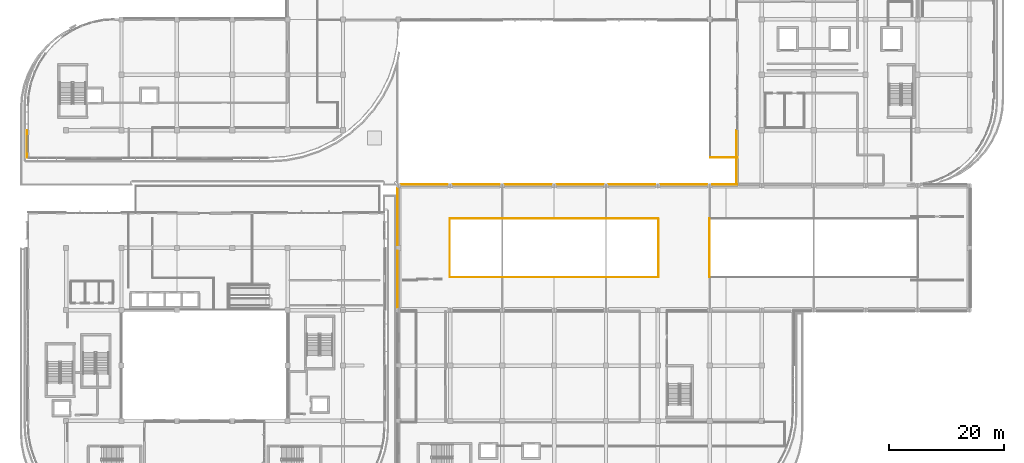
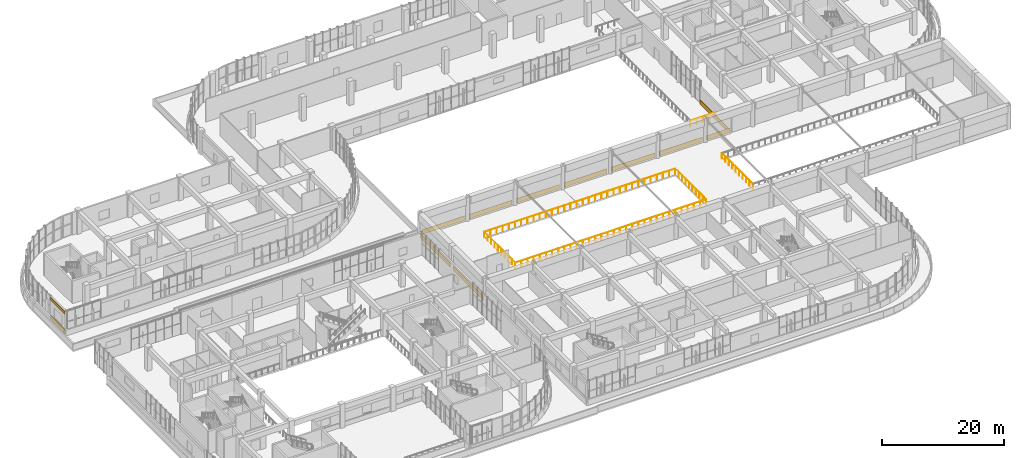
# One storey, part 85 of 96: 12 coverings, 6 railings.
"""IFC4 building model written with IfcOpenShell, lengths in metres."""

from ifc_helpers import new_model, si_unit, direction, frame, origin, origin_2d, place, context, subcontext, project, spatial, rectangle, circle, extrude, material, layer, layer_set, type_object, element, save


model = new_model("IFC4")

# Units and contexts
model_context = context("Model", 3, precision=1e-05, world=origin(), true_north=direction((0.0, 1.0)))
body_context = subcontext(model_context, "Body", "Model", "MODEL_VIEW")
ifc_project = project(units=[si_unit("LENGTHUNIT", "METRE"), si_unit("AREAUNIT", "SQUARE_METRE"), si_unit("VOLUMEUNIT", "CUBIC_METRE"), si_unit("PLANEANGLEUNIT", "RADIAN"), si_unit("MASSUNIT", "GRAM", prefix="KILO")], contexts=[model_context])

# Site, building, storey
site_placement = place(None, origin())
site = spatial("IfcSite", under=ifc_project, at=site_placement, CompositionType="ELEMENT")
building_placement = place(site_placement, origin())
building = spatial("IfcBuilding", under=site, at=building_placement, Name="Cendralis Terraced Arcade", CompositionType="ELEMENT")
storey_placement = place(building_placement, frame((0.0, 0.0, 10.199951171875)))
storey = spatial("IfcBuildingStorey", under=building, at=storey_placement, Name="L02", CompositionType="ELEMENT", Elevation=10.199951171875)

# Coverings
ifc_material_1 = material(Name="Precast concrete f'c 40 MPa", Category="concrete")
ifc_layer = layer(ifc_material_1, 0.06494140625, Name="COV-CLAD-GRC-65")
ifc_layer_set = layer_set([ifc_layer], Name="Precast concrete f'c 40 MPa")
covering_type = type_object("IfcCoveringType", Name="COV-CLAD-GRC-65", PredefinedType="CLADDING", material=ifc_layer_set)
for number, where, z_axis, x_axis, name in (
    (1, (71.699951171875, 60.179931640625, 0.0), (0.0, 0.0, 1.0), (1.0, 0.0, 0.0), "Banded Precast Stone Spandrel Cladding L02-235"),
    (2, (80.699951171875, 60.179931640625, 0.0), (0.0, 0.0, 1.0), (1.0, 0.0, 0.0), "Banded Precast Stone Spandrel Cladding L02-236"),
    (3, (89.699951171875, 60.179931640625, 0.0), (0.0, 0.0, 1.0), (1.0, 0.0, 0.0), "Banded Precast Stone Spandrel Cladding L02-237"),
    (4, (98.699951171875, 60.179931640625, 0.0), (0.0, 0.0, 1.0), (1.0, 0.0, 0.0), "Banded Precast Stone Spandrel Cladding L02-238"),
    (5, (107.699951171875, 60.179931640625, 0.0), (0.0, 0.0, 1.0), (1.0, 0.0, 0.0), "Banded Precast Stone Spandrel Cladding L02-239"),
    (6, (116.699951171875, 60.179931640625, 0.0), (0.0, 0.0, 1.0), (1.0, 0.0, 0.0), "Banded Precast Stone Spandrel Cladding L02-240"),
):
    element("IfcCovering", number, at=place(storey_placement, frame(where, z_axis=z_axis, x_axis=x_axis)), inside=storey, type_object=covering_type, Name=name, PredefinedType="CLADDING", context=body_context, shape_type="SweptSolid", body=[
        extrude(rectangle(XDim=8.14404296875, YDim=0.06494140625, at=origin_2d()), origin(), (0.0, 0.0, 1.0), 0.89990234375),
    ])
covering_1_placement = place(storey_placement, frame((123.799072265625, 60.179931640625, 0.0), z_axis=(0.0, 0.0, 1.0), x_axis=(1.0, 0.0, 0.0)))
element("IfcCovering", 7, at=covering_1_placement, inside=storey, type_object=covering_type, Name="Banded Precast Stone Spandrel Cladding L02-241", PredefinedType="CLADDING", context=body_context, shape_type="SweptSolid", body=[
    extrude(rectangle(XDim=4.342041015625, YDim=0.06494140625, at=origin_2d()), origin(), (0.0, 0.0, 1.0), 0.89990234375),
])
covering_2_placement = place(storey_placement, frame((125.820068359375, 64.885009765625, 0.0), z_axis=(0.0, 0.0, 1.0), x_axis=(0.0, 1.0, 0.0)))
element("IfcCovering", 8, at=covering_2_placement, inside=storey, type_object=covering_type, Name="Banded Precast Stone Spandrel Cladding L02-242", PredefinedType="CLADDING", context=body_context, shape_type="SweptSolid", body=[
    extrude(rectangle(XDim=9.3701171875, YDim=0.06494140625, at=origin_2d()), origin(), (0.0, 0.0, 1.0), 0.89990234375),
])
covering_3_placement = place(storey_placement, frame((2.820068359375, 67.199951171875, 0.0), z_axis=(0.0, 0.0, 1.0), x_axis=(0.0, 1.0, 0.0)))
element("IfcCovering", 9, at=covering_3_placement, inside=storey, type_object=covering_type, Name="Banded Precast Stone Spandrel Cladding L02-257", PredefinedType="CLADDING", context=body_context, shape_type="SweptSolid", body=[
    extrude(rectangle(XDim=4.739990234375, YDim=0.06494140625, at=origin_2d()), origin(), (0.0, 0.0, 1.0), 0.89990234375),
])
covering_4_placement = place(storey_placement, frame((2.820068359375, 67.199951171875, 3.89501953125), z_axis=(0.0, 0.0, 1.0), x_axis=(0.0, 1.0, 0.0)))
element("IfcCovering", 10, at=covering_4_placement, inside=storey, type_object=covering_type, Name="Banded Precast Stone Lintel Cladding L02-258", PredefinedType="CLADDING", context=body_context, shape_type="SweptSolid", body=[
    extrude(rectangle(XDim=4.739990234375, YDim=0.06494140625, at=origin_2d()), origin(), (0.0, 0.0, 1.0), 0.60009765625),
])
for number, where, z_axis, x_axis, name in (
    (11, (67.02001953125, 43.77490234375, 0.0), (0.0, 0.0, 1.0), (0.0, 1.0, 0.0), "Banded Precast Stone Spandrel Cladding L02-307"),
    (12, (67.02001953125, 54.625, 0.0), (0.0, 0.0, 1.0), (0.0, 1.0, 0.0), "Banded Precast Stone Spandrel Cladding L02-308"),
):
    element("IfcCovering", number, at=place(storey_placement, frame(where, z_axis=z_axis, x_axis=x_axis)), inside=storey, type_object=covering_type, Name=name, PredefinedType="CLADDING", context=body_context, shape_type="SweptSolid", body=[
        extrude(rectangle(XDim=9.89404296875, YDim=0.06494140625, at=origin_2d()), origin(), (0.0, 0.0, 1.0), 0.89990234375),
    ])

# Railings
ifc_material_2 = material(Name="Brushed stainless steel AISI 316", Category="steel")
railing_type_1 = type_object("IfcRailingType", Name="RL-TER-GUARD-1150", PredefinedType="GUARDRAIL", material=ifc_material_2)
railing_1_placement = place(storey_placement, frame((126.0, 64.8798828125, 0.0)))
element("IfcRailing", 13, at=railing_1_placement, inside=storey, type_object=railing_type_1, Name="Planted Terrace Perimeter Guardrail GR-TER-L02-006", PredefinedType="GUARDRAIL", context=body_context, shape_type="SweptSolid", body=[
    extrude(circle(Radius=0.02392578125, at=origin_2d()), frame((0.0, 0.0, 1.1259765625), z_axis=(-1.0, 0.0, 0.0), x_axis=(0.0, -1.0, 0.0)), (0.0, 0.0, 1.0), 4.719970703125),
    extrude(circle(Radius=0.02099609375, at=origin_2d()), origin(), (0.0, 0.0, 1.0), 1.101806640625),
    extrude(circle(Radius=0.02099609375, at=origin_2d()), frame((-1.179931640625, 0.0, 0.0)), (0.0, 0.0, 1.0), 1.101806640625),
    extrude(circle(Radius=0.02099609375, at=origin_2d()), frame((-2.35986328125, 0.0, 0.0)), (0.0, 0.0, 1.0), 1.101806640625),
    extrude(circle(Radius=0.02099609375, at=origin_2d()), frame((-3.5400390625, 0.0, 0.0)), (0.0, 0.0, 1.0), 1.101806640625),
    extrude(circle(Radius=0.02099609375, at=origin_2d()), frame((-4.719970703125, 0.0, 0.0)), (0.0, 0.0, 1.0), 1.101806640625),
])
railing_type_2 = type_object("IfcRailingType", Name="RL-VOID-BAL-1150", PredefinedType="BALUSTRADE", material=ifc_material_2)
railing_2_placement = place(storey_placement, frame((76.1201171875, 44.1201171875, 0.0)))
element("IfcRailing", 14, at=railing_2_placement, inside=storey, type_object=railing_type_2, Name="Atrium and Arcade Gallery Balustrade L02-051", PredefinedType="BALUSTRADE", context=body_context, shape_type="SweptSolid", body=[
    extrude(circle(Radius=0.02392578125, at=origin_2d()), frame((0.0, 0.0, 1.1259765625), z_axis=(1.0, 0.0, 0.0), x_axis=(0.0, 1.0, 0.0)), (0.0, 0.0, 1.0), 36.159912109375),
    extrude(circle(Radius=0.02099609375, at=origin_2d()), origin(), (0.0, 0.0, 1.0), 1.101806640625),
    extrude(circle(Radius=0.02099609375, at=origin_2d()), frame((1.16650390625, 0.0, 0.0)), (0.0, 0.0, 1.0), 1.101806640625),
    extrude(circle(Radius=0.02099609375, at=origin_2d()), frame((2.3330078125, 0.0, 0.0)), (0.0, 0.0, 1.0), 1.101806640625),
    extrude(circle(Radius=0.02099609375, at=origin_2d()), frame((3.499267578125, 0.0, 0.0)), (0.0, 0.0, 1.0), 1.101806640625),
    extrude(circle(Radius=0.02099609375, at=origin_2d()), frame((4.665771484375, 0.0, 0.0)), (0.0, 0.0, 1.0), 1.101806640625),
    extrude(circle(Radius=0.02099609375, at=origin_2d()), frame((5.832275390625, 0.0, 0.0)), (0.0, 0.0, 1.0), 1.101806640625),
    extrude(circle(Radius=0.02099609375, at=origin_2d()), frame((6.998779296875, 0.0, 0.0)), (0.0, 0.0, 1.0), 1.101806640625),
    extrude(circle(Radius=0.02099609375, at=origin_2d()), frame((8.1650390625, 0.0, 0.0)), (0.0, 0.0, 1.0), 1.101806640625),
    extrude(circle(Radius=0.02099609375, at=origin_2d()), frame((9.33154296875, 0.0, 0.0)), (0.0, 0.0, 1.0), 1.101806640625),
    extrude(circle(Radius=0.02099609375, at=origin_2d()), frame((10.498046875, 0.0, 0.0)), (0.0, 0.0, 1.0), 1.101806640625),
    extrude(circle(Radius=0.02099609375, at=origin_2d()), frame((11.66455078125, 0.0, 0.0)), (0.0, 0.0, 1.0), 1.101806640625),
    extrude(circle(Radius=0.02099609375, at=origin_2d()), frame((12.8310546875, 0.0, 0.0)), (0.0, 0.0, 1.0), 1.101806640625),
    extrude(circle(Radius=0.02099609375, at=origin_2d()), frame((13.997314453125, 0.0, 0.0)), (0.0, 0.0, 1.0), 1.101806640625),
    extrude(circle(Radius=0.02099609375, at=origin_2d()), frame((15.163818359375, 0.0, 0.0)), (0.0, 0.0, 1.0), 1.101806640625),
    extrude(circle(Radius=0.02099609375, at=origin_2d()), frame((16.330322265625, 0.0, 0.0)), (0.0, 0.0, 1.0), 1.101806640625),
    extrude(circle(Radius=0.02099609375, at=origin_2d()), frame((17.496826171875, 0.0, 0.0)), (0.0, 0.0, 1.0), 1.101806640625),
    extrude(circle(Radius=0.02099609375, at=origin_2d()), frame((18.6630859375, 0.0, 0.0)), (0.0, 0.0, 1.0), 1.101806640625),
    extrude(circle(Radius=0.02099609375, at=origin_2d()), frame((19.82958984375, 0.0, 0.0)), (0.0, 0.0, 1.0), 1.101806640625),
    extrude(circle(Radius=0.02099609375, at=origin_2d()), frame((20.99609375, 0.0, 0.0)), (0.0, 0.0, 1.0), 1.101806640625),
    extrude(circle(Radius=0.02099609375, at=origin_2d()), frame((22.16259765625, 0.0, 0.0)), (0.0, 0.0, 1.0), 1.101806640625),
    extrude(circle(Radius=0.02099609375, at=origin_2d()), frame((23.328857421875, 0.0, 0.0)), (0.0, 0.0, 1.0), 1.101806640625),
    extrude(circle(Radius=0.02099609375, at=origin_2d()), frame((24.495361328125, 0.0, 0.0)), (0.0, 0.0, 1.0), 1.101806640625),
    extrude(circle(Radius=0.02099609375, at=origin_2d()), frame((25.661865234375, 0.0, 0.0)), (0.0, 0.0, 1.0), 1.101806640625),
    extrude(circle(Radius=0.02099609375, at=origin_2d()), frame((26.828369140625, 0.0, 0.0)), (0.0, 0.0, 1.0), 1.101806640625),
    extrude(circle(Radius=0.02099609375, at=origin_2d()), frame((27.994873046875, 0.0, 0.0)), (0.0, 0.0, 1.0), 1.101806640625),
    extrude(circle(Radius=0.02099609375, at=origin_2d()), frame((29.1611328125, 0.0, 0.0)), (0.0, 0.0, 1.0), 1.101806640625),
    extrude(circle(Radius=0.02099609375, at=origin_2d()), frame((30.32763671875, 0.0, 0.0)), (0.0, 0.0, 1.0), 1.101806640625),
    extrude(circle(Radius=0.02099609375, at=origin_2d()), frame((31.494140625, 0.0, 0.0)), (0.0, 0.0, 1.0), 1.101806640625),
    extrude(circle(Radius=0.02099609375, at=origin_2d()), frame((32.66064453125, 0.0, 0.0)), (0.0, 0.0, 1.0), 1.101806640625),
    extrude(circle(Radius=0.02099609375, at=origin_2d()), frame((33.826904296875, 0.0, 0.0)), (0.0, 0.0, 1.0), 1.101806640625),
    extrude(circle(Radius=0.02099609375, at=origin_2d()), frame((34.993408203125, 0.0, 0.0)), (0.0, 0.0, 1.0), 1.101806640625),
    extrude(circle(Radius=0.02099609375, at=origin_2d()), frame((36.159912109375, 0.0, 0.0)), (0.0, 0.0, 1.0), 1.101806640625),
])
railing_3_placement = place(storey_placement, frame((112.280029296875, 44.1201171875, 0.0)))
element("IfcRailing", 15, at=railing_3_placement, inside=storey, type_object=railing_type_2, Name="Atrium and Arcade Gallery Balustrade L02-052", PredefinedType="BALUSTRADE", context=body_context, shape_type="SweptSolid", body=[
    extrude(circle(Radius=0.02392578125, at=origin_2d()), frame((0.0, 0.0, 1.1259765625), z_axis=(0.0, 1.0, 0.0), x_axis=(-1.0, 0.0, 0.0)), (0.0, 0.0, 1.0), 10.159912109375),
    extrude(circle(Radius=0.02099609375, at=origin_2d()), origin(), (0.0, 0.0, 1.0), 1.101806640625),
    extrude(circle(Radius=0.02099609375, at=origin_2d()), frame((0.0, 1.12890625, 0.0)), (0.0, 0.0, 1.0), 1.101806640625),
    extrude(circle(Radius=0.02099609375, at=origin_2d()), frame((0.0, 2.2578125, 0.0)), (0.0, 0.0, 1.0), 1.101806640625),
    extrude(circle(Radius=0.02099609375, at=origin_2d()), frame((0.0, 3.38671875, 0.0)), (0.0, 0.0, 1.0), 1.101806640625),
    extrude(circle(Radius=0.02099609375, at=origin_2d()), frame((0.0, 4.515625, 0.0)), (0.0, 0.0, 1.0), 1.101806640625),
    extrude(circle(Radius=0.02099609375, at=origin_2d()), frame((0.0, 5.644287109375, 0.0)), (0.0, 0.0, 1.0), 1.101806640625),
    extrude(circle(Radius=0.02099609375, at=origin_2d()), frame((0.0, 6.773193359375, 0.0)), (0.0, 0.0, 1.0), 1.101806640625),
    extrude(circle(Radius=0.02099609375, at=origin_2d()), frame((0.0, 7.902099609375, 0.0)), (0.0, 0.0, 1.0), 1.101806640625),
    extrude(circle(Radius=0.02099609375, at=origin_2d()), frame((0.0, 9.031005859375, 0.0)), (0.0, 0.0, 1.0), 1.101806640625),
    extrude(circle(Radius=0.02099609375, at=origin_2d()), frame((0.0, 10.159912109375, 0.0)), (0.0, 0.0, 1.0), 1.101806640625),
])
railing_4_placement = place(storey_placement, frame((112.280029296875, 54.280029296875, 0.0)))
element("IfcRailing", 16, at=railing_4_placement, inside=storey, type_object=railing_type_2, Name="Atrium and Arcade Gallery Balustrade L02-053", PredefinedType="BALUSTRADE", context=body_context, shape_type="SweptSolid", body=[
    extrude(circle(Radius=0.02392578125, at=origin_2d()), frame((0.0, 0.0, 1.1259765625), z_axis=(-1.0, 0.0, 0.0), x_axis=(0.0, -1.0, 0.0)), (0.0, 0.0, 1.0), 36.159912109375),
    extrude(circle(Radius=0.02099609375, at=origin_2d()), origin(), (0.0, 0.0, 1.0), 1.101806640625),
    extrude(circle(Radius=0.02099609375, at=origin_2d()), frame((-1.16650390625, 0.0, 0.0)), (0.0, 0.0, 1.0), 1.101806640625),
    extrude(circle(Radius=0.02099609375, at=origin_2d()), frame((-2.3330078125, 0.0, 0.0)), (0.0, 0.0, 1.0), 1.101806640625),
    extrude(circle(Radius=0.02099609375, at=origin_2d()), frame((-3.499267578125, 0.0, 0.0)), (0.0, 0.0, 1.0), 1.101806640625),
    extrude(circle(Radius=0.02099609375, at=origin_2d()), frame((-4.665771484375, 0.0, 0.0)), (0.0, 0.0, 1.0), 1.101806640625),
    extrude(circle(Radius=0.02099609375, at=origin_2d()), frame((-5.832275390625, 0.0, 0.0)), (0.0, 0.0, 1.0), 1.101806640625),
    extrude(circle(Radius=0.02099609375, at=origin_2d()), frame((-6.998779296875, 0.0, 0.0)), (0.0, 0.0, 1.0), 1.101806640625),
    extrude(circle(Radius=0.02099609375, at=origin_2d()), frame((-8.1650390625, 0.0, 0.0)), (0.0, 0.0, 1.0), 1.101806640625),
    extrude(circle(Radius=0.02099609375, at=origin_2d()), frame((-9.33154296875, 0.0, 0.0)), (0.0, 0.0, 1.0), 1.101806640625),
    extrude(circle(Radius=0.02099609375, at=origin_2d()), frame((-10.498046875, 0.0, 0.0)), (0.0, 0.0, 1.0), 1.101806640625),
    extrude(circle(Radius=0.02099609375, at=origin_2d()), frame((-11.66455078125, 0.0, 0.0)), (0.0, 0.0, 1.0), 1.101806640625),
    extrude(circle(Radius=0.02099609375, at=origin_2d()), frame((-12.8310546875, 0.0, 0.0)), (0.0, 0.0, 1.0), 1.101806640625),
    extrude(circle(Radius=0.02099609375, at=origin_2d()), frame((-13.997314453125, 0.0, 0.0)), (0.0, 0.0, 1.0), 1.101806640625),
    extrude(circle(Radius=0.02099609375, at=origin_2d()), frame((-15.163818359375, 0.0, 0.0)), (0.0, 0.0, 1.0), 1.101806640625),
    extrude(circle(Radius=0.02099609375, at=origin_2d()), frame((-16.330322265625, 0.0, 0.0)), (0.0, 0.0, 1.0), 1.101806640625),
    extrude(circle(Radius=0.02099609375, at=origin_2d()), frame((-17.496826171875, 0.0, 0.0)), (0.0, 0.0, 1.0), 1.101806640625),
    extrude(circle(Radius=0.02099609375, at=origin_2d()), frame((-18.6630859375, 0.0, 0.0)), (0.0, 0.0, 1.0), 1.101806640625),
    extrude(circle(Radius=0.02099609375, at=origin_2d()), frame((-19.82958984375, 0.0, 0.0)), (0.0, 0.0, 1.0), 1.101806640625),
    extrude(circle(Radius=0.02099609375, at=origin_2d()), frame((-20.99609375, 0.0, 0.0)), (0.0, 0.0, 1.0), 1.101806640625),
    extrude(circle(Radius=0.02099609375, at=origin_2d()), frame((-22.16259765625, 0.0, 0.0)), (0.0, 0.0, 1.0), 1.101806640625),
    extrude(circle(Radius=0.02099609375, at=origin_2d()), frame((-23.328857421875, 0.0, 0.0)), (0.0, 0.0, 1.0), 1.101806640625),
    extrude(circle(Radius=0.02099609375, at=origin_2d()), frame((-24.495361328125, 0.0, 0.0)), (0.0, 0.0, 1.0), 1.101806640625),
    extrude(circle(Radius=0.02099609375, at=origin_2d()), frame((-25.661865234375, 0.0, 0.0)), (0.0, 0.0, 1.0), 1.101806640625),
    extrude(circle(Radius=0.02099609375, at=origin_2d()), frame((-26.828369140625, 0.0, 0.0)), (0.0, 0.0, 1.0), 1.101806640625),
    extrude(circle(Radius=0.02099609375, at=origin_2d()), frame((-27.994873046875, 0.0, 0.0)), (0.0, 0.0, 1.0), 1.101806640625),
    extrude(circle(Radius=0.02099609375, at=origin_2d()), frame((-29.1611328125, 0.0, 0.0)), (0.0, 0.0, 1.0), 1.101806640625),
    extrude(circle(Radius=0.02099609375, at=origin_2d()), frame((-30.32763671875, 0.0, 0.0)), (0.0, 0.0, 1.0), 1.101806640625),
    extrude(circle(Radius=0.02099609375, at=origin_2d()), frame((-31.494140625, 0.0, 0.0)), (0.0, 0.0, 1.0), 1.101806640625),
    extrude(circle(Radius=0.02099609375, at=origin_2d()), frame((-32.66064453125, 0.0, 0.0)), (0.0, 0.0, 1.0), 1.101806640625),
    extrude(circle(Radius=0.02099609375, at=origin_2d()), frame((-33.826904296875, 0.0, 0.0)), (0.0, 0.0, 1.0), 1.101806640625),
    extrude(circle(Radius=0.02099609375, at=origin_2d()), frame((-34.993408203125, 0.0, 0.0)), (0.0, 0.0, 1.0), 1.101806640625),
    extrude(circle(Radius=0.02099609375, at=origin_2d()), frame((-36.159912109375, 0.0, 0.0)), (0.0, 0.0, 1.0), 1.101806640625),
])
for number, where, name in (
    (17, (76.1201171875, 54.280029296875, 0.0), "Atrium and Arcade Gallery Balustrade L02-054"),
    (18, (121.1201171875, 54.280029296875, 0.0), "Atrium and Arcade Gallery Balustrade L02-058"),
):
    element("IfcRailing", number, at=place(storey_placement, frame(where)), inside=storey, type_object=railing_type_2, Name=name, PredefinedType="BALUSTRADE", context=body_context, shape_type="SweptSolid", body=[
        extrude(circle(Radius=0.02392578125, at=origin_2d()), frame((0.0, 0.0, 1.1259765625), z_axis=(0.0, -1.0, 0.0), x_axis=(1.0, 0.0, 0.0)), (0.0, 0.0, 1.0), 10.159912109375),
        extrude(circle(Radius=0.02099609375, at=origin_2d()), origin(), (0.0, 0.0, 1.0), 1.101806640625),
        extrude(circle(Radius=0.02099609375, at=origin_2d()), frame((0.0, -1.12890625, 0.0)), (0.0, 0.0, 1.0), 1.101806640625),
        extrude(circle(Radius=0.02099609375, at=origin_2d()), frame((0.0, -2.2578125, 0.0)), (0.0, 0.0, 1.0), 1.101806640625),
        extrude(circle(Radius=0.02099609375, at=origin_2d()), frame((0.0, -3.38671875, 0.0)), (0.0, 0.0, 1.0), 1.101806640625),
        extrude(circle(Radius=0.02099609375, at=origin_2d()), frame((0.0, -4.515625, 0.0)), (0.0, 0.0, 1.0), 1.101806640625),
        extrude(circle(Radius=0.02099609375, at=origin_2d()), frame((0.0, -5.644287109375, 0.0)), (0.0, 0.0, 1.0), 1.101806640625),
        extrude(circle(Radius=0.02099609375, at=origin_2d()), frame((0.0, -6.773193359375, 0.0)), (0.0, 0.0, 1.0), 1.101806640625),
        extrude(circle(Radius=0.02099609375, at=origin_2d()), frame((0.0, -7.902099609375, 0.0)), (0.0, 0.0, 1.0), 1.101806640625),
        extrude(circle(Radius=0.02099609375, at=origin_2d()), frame((0.0, -9.031005859375, 0.0)), (0.0, 0.0, 1.0), 1.101806640625),
        extrude(circle(Radius=0.02099609375, at=origin_2d()), frame((0.0, -10.159912109375, 0.0)), (0.0, 0.0, 1.0), 1.101806640625),
    ])

save(model, "model.ifc")
